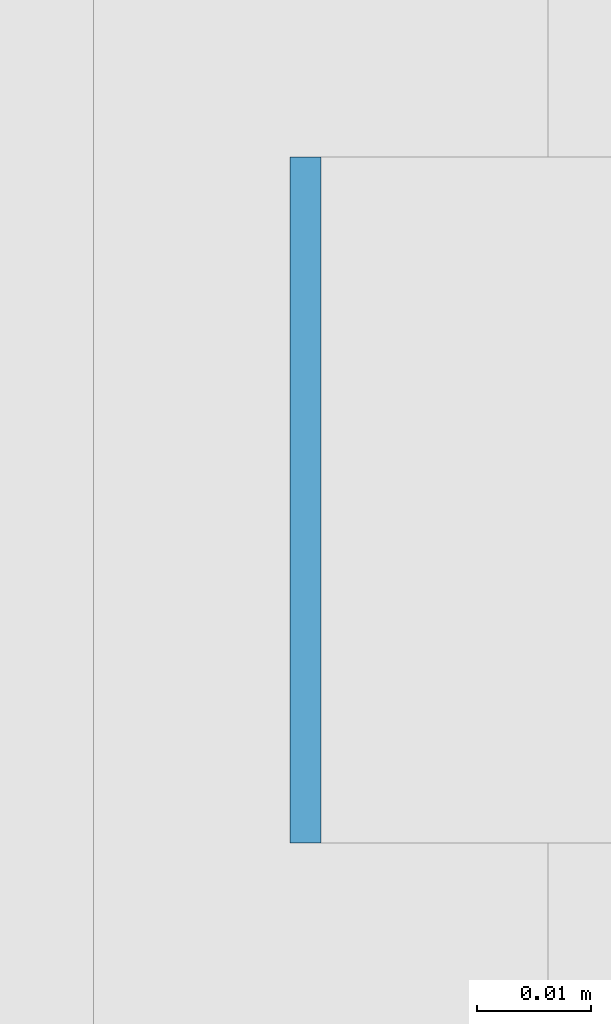
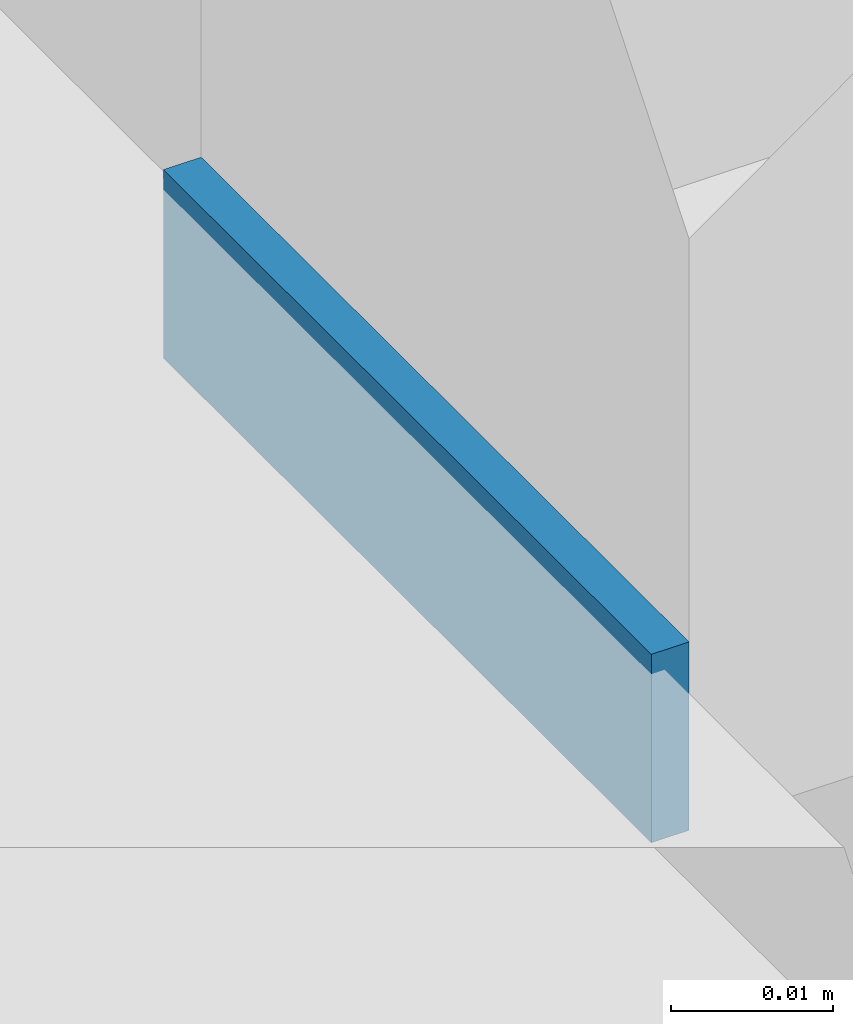
# One storey, part 592 of 646: 1 discrete accessory.
"""IFC4 building model written with IfcOpenShell, lengths in metres."""

from ifc_helpers import new_model, si_unit, direction, frame, origin, origin_2d, place, context, subcontext, project, spatial, rectangle, extrude, material, type_object, element, save


model = new_model("IFC4")

# Units and contexts
model_context = context("Model", 3, precision=1e-05, world=origin(), true_north=direction((0.0, 1.0)))
body_context = subcontext(model_context, "Body", "Model", "MODEL_VIEW")
ifc_project = project(units=[si_unit("LENGTHUNIT", "METRE"), si_unit("AREAUNIT", "SQUARE_METRE"), si_unit("VOLUMEUNIT", "CUBIC_METRE"), si_unit("PLANEANGLEUNIT", "RADIAN"), si_unit("MASSUNIT", "GRAM", prefix="KILO")], contexts=[model_context])

# Site, building, storey
site_placement = place(None, origin())
site = spatial("IfcSite", under=ifc_project, at=site_placement, CompositionType="ELEMENT")
building_placement = place(site_placement, origin())
building = spatial("IfcBuilding", under=site, at=building_placement, Name="Silverbay Arena", CompositionType="ELEMENT")
storey_placement = place(building_placement, frame((0.0, 0.0, 33.5)))
storey = spatial("IfcBuildingStorey", under=building, at=storey_placement, Name="L05", CompositionType="ELEMENT", Elevation=33.5)

# Discrete accessory
ifc_material = material(Name="Steel S355", Category="steel")
discrete_accessory_type = type_object("IfcDiscreteAccessoryType", Name="Steel bracket plate", PredefinedType="BRACKET", material=ifc_material)
discrete_accessory_placement = place(storey_placement, frame((207.128662109375, 118.28564453125, 4.0), z_axis=(0.0, 0.0, 1.0), x_axis=(1.0, 0.0, 0.0)))
element("IfcDiscreteAccessory", 1, at=discrete_accessory_placement, inside=storey, type_object=discrete_accessory_type, Name="Curtain wall packing plate", PredefinedType="BRACKET", context=body_context, shape_type="SweptSolid", body=[
    extrude(rectangle(XDim=0.002685546875, YDim=0.06005859375, at=origin_2d()), origin(), (0.0, 0.0, 1.0), 0.01416015625),
])

save(model, "model.ifc")
